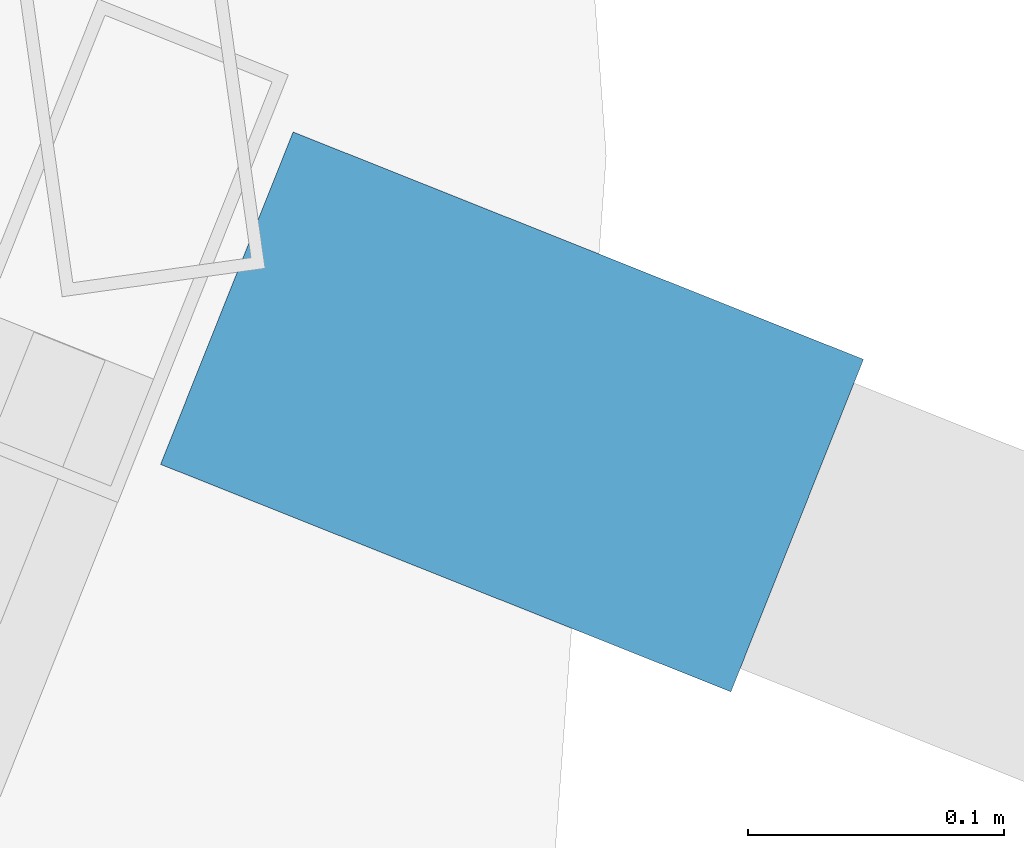
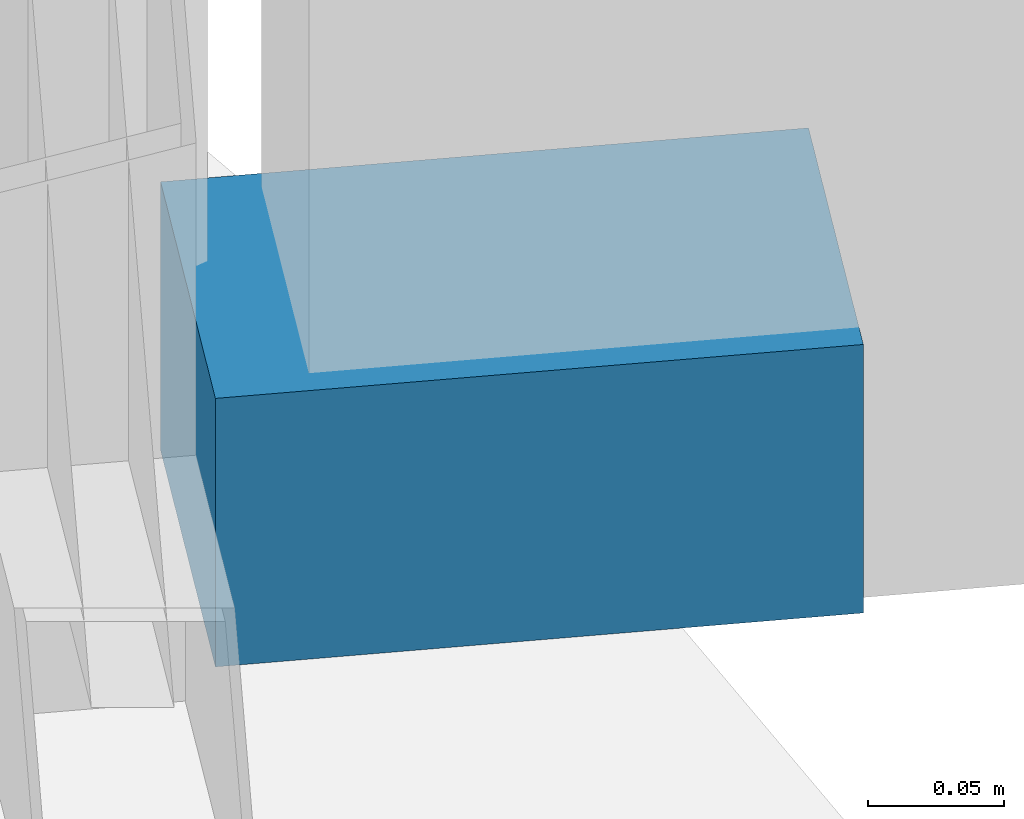
# One storey, part 29 of 32: 1 discrete accessory.
"""IFC4 building model written with IfcOpenShell, lengths in metres."""

import ifcopenshell
import ifcopenshell.guid

model = None  # the IFC model being written
_history = None  # IfcOwnerHistory: only IFC2X3 demands one
_inside = {}  # id of a spatial element -> (the spatial element, [elements in it])
_under = {}  # id of a project, library or spatial element -> (it, [spatial elements below it])
_declared = {}  # id of a project -> (the project, [libraries it declares])
_typed = {}  # id of a type object -> (the type object, [elements of that type])
_made_of = {}  # id of a material, layer set ... -> (it, [elements and type objects made of it])


def new_model(schema):
    """Start an empty IFC model of exactly this schema.

    Asked for "IFC4X3", IfcOpenShell would pick the latest addendum, in which some entities
    have other attributes; the version numbers below select the first issue.
    IFC2X3 requires an IfcOwnerHistory on every rooted entity: one is made here for all.
    """
    global model, _history
    if schema == "IFC4X3":
        model = ifcopenshell.file(schema_version=(4, 3, 0, 0))
    else:
        model = ifcopenshell.file(schema=schema)
    _inside.clear()
    _under.clear()
    _declared.clear()
    _typed.clear()
    _made_of.clear()
    _history = None
    if model.schema == "IFC2X3":
        org = make("IfcOrganization", Name="unknown")
        user = make(
            "IfcPersonAndOrganization",
            ThePerson=make("IfcPerson", FamilyName="unknown"),
            TheOrganization=org,
        )
        app = make(
            "IfcApplication",
            ApplicationDeveloper=org,
            Version="unknown",
            ApplicationFullName="unknown",
            ApplicationIdentifier="unknown",
        )
        _history = make(
            "IfcOwnerHistory",
            OwningUser=user,
            OwningApplication=app,
            ChangeAction="ADDED",
            CreationDate=0,
        )
    return model


def make(cls, **values):
    """One entity of the class cls with the attributes given. An attribute that is None is left unset."""
    return model.create_entity(
        cls, **{name: value for name, value in values.items() if value is not None}
    )


def rooted(cls, **values):
    """An entity with a GlobalId (a new one), such as an element, a storey or a relation."""
    return make(cls, GlobalId=ifcopenshell.guid.new(), OwnerHistory=_history, **values)


def si_unit(unit_type, name, prefix=None):
    """IfcSIUnit, for example si_unit("LENGTHUNIT", "METRE", prefix="MILLI")."""
    return make("IfcSIUnit", UnitType=unit_type, Prefix=prefix, Name=name)


def assignment(units):
    """IfcUnitAssignment: the units of a project."""
    return None if units is None else make("IfcUnitAssignment", Units=units)


def point(xyz):
    """IfcCartesianPoint."""
    return None if xyz is None else make("IfcCartesianPoint", Coordinates=xyz)


def direction(xyz):
    """IfcDirection."""
    return None if xyz is None else make("IfcDirection", DirectionRatios=xyz)


def frame(location, z_axis=None, x_axis=None):
    """IfcAxis2Placement3D, a coordinate frame: its origin and axes. An axis left out is left unset."""
    return make(
        "IfcAxis2Placement3D",
        Location=point(location),
        Axis=direction(z_axis),
        RefDirection=direction(x_axis),
    )


def frame_2d(location, x_axis=None):
    """IfcAxis2Placement2D, a coordinate frame in the plane: its origin and x axis."""
    return make(
        "IfcAxis2Placement2D", Location=point(location), RefDirection=direction(x_axis)
    )


def origin():
    """The frame at (0, 0, 0) with its axes left unset."""
    return frame((0.0, 0.0, 0.0))


def origin_2d():
    """The frame at (0, 0) in the plane with its x axis left unset."""
    return frame_2d((0.0, 0.0))


def place(relative_to, where):
    """IfcLocalPlacement: puts the frame where relative to a parent placement (None: the world)."""
    return make(
        "IfcLocalPlacement", PlacementRelTo=relative_to, RelativePlacement=where
    )


def context(
    kind, dimensions, precision=None, world=None, true_north=None, identifier=None
):
    """IfcGeometricRepresentationContext, for example the 3D "Model" context."""
    return make(
        "IfcGeometricRepresentationContext",
        ContextIdentifier=identifier,
        ContextType=kind,
        CoordinateSpaceDimension=dimensions,
        Precision=precision,
        WorldCoordinateSystem=world,
        TrueNorth=true_north,
    )


def subcontext(parent, identifier, kind, view, scale=None):
    """IfcGeometricRepresentationSubContext, for example "Body" below "Model"."""
    return make(
        "IfcGeometricRepresentationSubContext",
        ContextIdentifier=identifier,
        ContextType=kind,
        ParentContext=parent,
        TargetScale=scale,
        TargetView=view,
    )


def project(units=None, contexts=None):
    """IfcProject with its units and contexts."""
    return rooted(
        "IfcProject",
        Name="project",
        RepresentationContexts=contexts,
        UnitsInContext=assignment(units),
    )


def spatial(cls, under=None, at=None, **own):
    """A site, building, storey or space (cls), placed at a placement, below another one or the project."""
    s = rooted(cls, ObjectPlacement=at, **own)
    if under is not None:
        _under.setdefault(under.id(), (under, []))[1].append(s)
    return s


def profile(cls, at=None, kind="AREA", **sizes):
    """A parametric profile (cls). Its sizes go by their IFC names, for example OverallWidth=200.0."""
    return make(cls, ProfileType=kind, Position=at, **sizes)


def rectangle(**sizes):
    """IfcRectangleProfileDef."""
    return profile("IfcRectangleProfileDef", **sizes)


def extrude(swept, where, along, depth):
    """IfcExtrudedAreaSolid: the profile swept, set in the frame where, extruded along a direction by depth."""
    return make(
        "IfcExtrudedAreaSolid",
        SweptArea=swept,
        Position=where,
        ExtrudedDirection=direction(along),
        Depth=depth,
    )


def shape(context_of_items, identifier, shape_type, items):
    """IfcShapeRepresentation: the items that make up one representation, for example the "Body"."""
    return make(
        "IfcShapeRepresentation",
        ContextOfItems=context_of_items,
        RepresentationIdentifier=identifier,
        RepresentationType=shape_type,
        Items=items,
    )


def material(Name=None, Category=None):
    """IfcMaterial."""
    return make("IfcMaterial", Name=Name, Category=Category)


def made_of(thing, what):
    """Note that an element or type object is made of a material, layer set ...; save() writes the relation."""
    if what is not None:
        _made_of.setdefault(what.id(), (what, []))[1].append(thing)
    return thing


def type_object(cls, material=None, **own):
    """A type object (cls), such as IfcWallType, which elements share."""
    return made_of(rooted(cls, **own), material)


def element(
    cls,
    number,
    at=None,
    inside=None,
    cuts=None,
    type_object=None,
    material=None,
    context=None,
    identifier="Body",
    shape_type=None,
    held_by="IfcProductDefinitionShape",
    body=None,
    shapes=None,
    **own,
):
    """One element of the class cls, such as IfcWall. Its Tag is "e" and its number.

    at: its placement. inside: the storey or other place that contains it. cuts: it is an
    opening in that element (IfcRelVoidsElement). A single representation is given by context,
    identifier, shape_type and body (its items); several are given by shapes. held_by: the class
    of the entity that holds the representations. save() writes the other relations.
    """
    e = rooted(cls, Tag="e%d" % number, ObjectPlacement=at, **own)
    if body is not None:
        shapes = [shape(context, identifier, shape_type, body)]
    if shapes is not None:
        e.Representation = make(held_by, Representations=shapes)
    if inside is not None:
        _inside.setdefault(inside.id(), (inside, []))[1].append(e)
    if cuts is not None:
        rooted(
            "IfcRelVoidsElement", RelatingBuildingElement=cuts, RelatedOpeningElement=e
        )
    if type_object is not None:
        _typed.setdefault(type_object.id(), (type_object, []))[1].append(e)
    return made_of(e, material)


def aggregate(whole, parts):
    """IfcRelAggregates: a whole, such as a stair, and the parts it consists of."""
    return rooted("IfcRelAggregates", RelatingObject=whole, RelatedObjects=parts)


def save(model, path):
    """Write the relations noted so far, then the file.

    IfcRelAggregates (storeys below a building ...), IfcRelContainedInSpatialStructure (elements
    in a storey), IfcRelDefinesByType, IfcRelAssociatesMaterial and IfcRelDeclares: one each for
    every whole, place, type object, material and project.
    """
    for whole, parts in _under.values():
        aggregate(whole, parts)
    for where, things in _inside.values():
        rooted(
            "IfcRelContainedInSpatialStructure",
            RelatedElements=things,
            RelatingStructure=where,
        )
    for kind, things in _typed.values():
        rooted("IfcRelDefinesByType", RelatedObjects=things, RelatingType=kind)
    for what, things in _made_of.values():
        rooted("IfcRelAssociatesMaterial", RelatedObjects=things, RelatingMaterial=what)
    for by, libraries in _declared.values():
        rooted("IfcRelDeclares", RelatingContext=by, RelatedDefinitions=libraries)
    model.write(path)


model = new_model("IFC4")

# Units and contexts
model_context = context("Model", 3, precision=1e-05, world=origin(), true_north=direction((0.0, 1.0)))
body_context = subcontext(model_context, "Body", "Model", "MODEL_VIEW")
ifc_project = project(units=[si_unit("LENGTHUNIT", "METRE"), si_unit("AREAUNIT", "SQUARE_METRE"), si_unit("VOLUMEUNIT", "CUBIC_METRE"), si_unit("PLANEANGLEUNIT", "RADIAN"), si_unit("MASSUNIT", "GRAM", prefix="KILO")], contexts=[model_context])

# Site, building, storey
site_placement = place(None, origin())
site = spatial("IfcSite", under=ifc_project, at=site_placement, CompositionType="ELEMENT")
building_placement = place(site_placement, origin())
building = spatial("IfcBuilding", under=site, at=building_placement, Name="Kazevale Care Tower and Concert Hall", CompositionType="ELEMENT")
storey_placement = place(building_placement, frame((0.0, 0.0, 38.39990234375)))
storey = spatial("IfcBuildingStorey", under=building, at=storey_placement, Name="L09", CompositionType="ELEMENT", Elevation=38.39990234375)

# Discrete accessory
ifc_material = material(Name="Stainless Steel 316", Category="steel")
discrete_accessory_type = type_object("IfcDiscreteAccessoryType", Name="Facade Fin Stainless Anchor Bracket BRK-1", PredefinedType="BRACKET", material=ifc_material)
discrete_accessory_placement = place(storey_placement, frame((80.76318359375, 37.89990234375, 0.0), z_axis=(0.0, 0.0, 1.0), x_axis=(0.928874213199, -0.370395324019, 0.0)))
element("IfcDiscreteAccessory", 1, at=discrete_accessory_placement, inside=storey, type_object=discrete_accessory_type, Name="cw:L09:f01:brk", PredefinedType="BRACKET", context=body_context, shape_type="SweptSolid", body=[
    extrude(rectangle(XDim=0.239990234375, YDim=0.139892578125, at=origin_2d()), origin(), (0.0, 0.0, 1.0), 0.1201171875),
])

save(model, "model.ifc")
